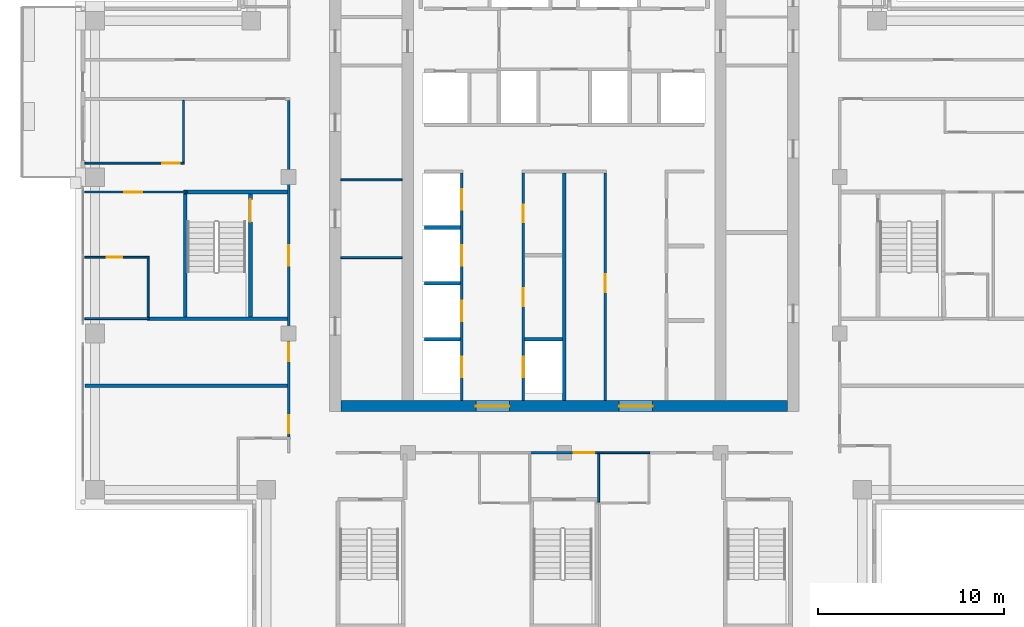
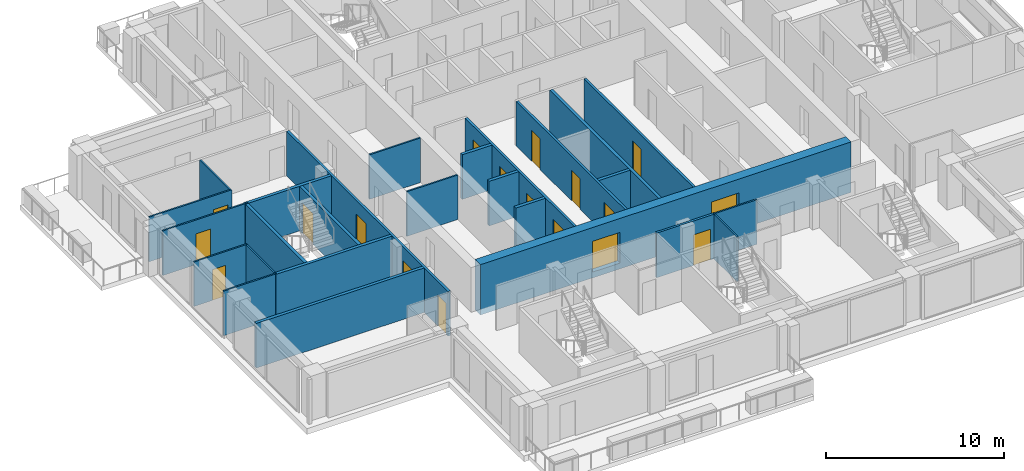
# One storey, part 7 of 15: 26 walls, 18 doors, 18 openings.
"""IFC4 building model written with IfcOpenShell, lengths in metres."""

from ifc_helpers import new_model, si_unit, direction, frame, frame_2d, origin, place, context, subcontext, project, spatial, rectangle, extrude, material, layer, layer_set, type_object, element, fill, save


model = new_model("IFC4")

# Units and contexts
model_context = context("Model", 3, precision=1e-05, world=origin(), true_north=direction((0.0, 1.0)))
body_context = subcontext(model_context, "Body", "Model", "MODEL_VIEW")
ifc_project = project(units=[si_unit("LENGTHUNIT", "METRE"), si_unit("AREAUNIT", "SQUARE_METRE"), si_unit("VOLUMEUNIT", "CUBIC_METRE"), si_unit("PLANEANGLEUNIT", "RADIAN"), si_unit("MASSUNIT", "GRAM", prefix="KILO")], contexts=[model_context])

# Site, building, storey
site_placement = place(None, origin())
site = spatial("IfcSite", under=ifc_project, at=site_placement, CompositionType="ELEMENT")
building_placement = place(site_placement, origin())
building = spatial("IfcBuilding", under=site, at=building_placement, Name="Vermilion Ogive Tower", CompositionType="ELEMENT")
storey_placement = place(building_placement, frame((0.0, 0.0, 210.050048828125)))
storey = spatial("IfcBuildingStorey", under=building, at=storey_placement, Name="L55", CompositionType="ELEMENT", Elevation=210.050048828125)

# Wall, openings, doors
ifc_material_1 = material(Name="Concrete B60", Category="concrete")
ifc_layer_1 = layer(ifc_material_1, 0.60009765625)
ifc_layer_set_1 = layer_set([ifc_layer_1], Name="Core wall 600 B60")
wall_type_1 = type_object("IfcWallType", Name="Core wall 600 B60", PredefinedType="SHEAR", material=ifc_layer_set_1)
wall_1_placement = place(storey_placement, frame((-12.0, -8.10009765625, -0.400146484375), z_axis=(0.0, 0.0, 1.0), x_axis=(1.0, 0.0, 0.0)))
wall_1 = element("IfcWall", 1, at=wall_1_placement, inside=storey, type_object=wall_type_1, Name="L55-CORE-S", PredefinedType="SHEAR", context=body_context, shape_type="SweptSolid", body=[
    extrude(rectangle(XDim=24.0, YDim=0.60009765625, at=frame_2d((12.0, 0.0))), origin(), (0.0, 0.0, 1.0), 3.4501953125),
])
opening_1_placement = place(wall_1_placement, frame((7.25, 0.0, 0.39990234375)))
opening_1 = element("IfcOpeningElement", 2, at=opening_1_placement, cuts=wall_1, Name="Opening DAH043", PredefinedType="OPENING", context=body_context, shape_type="SweptSolid", body=[
    extrude(rectangle(XDim=1.800048828125, YDim=2.10009765625, at=frame_2d((0.89990234375, 1.050048828125))), frame((0.0, 0.31005859375, 0.0), z_axis=(0.0, -1.0, 0.0), x_axis=(1.0, 0.0, 0.0)), (0.0, 0.0, 1.0), 0.6201171875),
])
opening_2_placement = place(wall_1_placement, frame((14.949951171875, 0.0, 0.39990234375)))
opening_2 = element("IfcOpeningElement", 3, at=opening_2_placement, cuts=wall_1, Name="Opening DAH044", PredefinedType="OPENING", context=body_context, shape_type="SweptSolid", body=[
    extrude(rectangle(XDim=1.800048828125, YDim=2.10009765625, at=frame_2d((0.89990234375, 1.050048828125))), frame((0.0, 0.31005859375, 0.0), z_axis=(0.0, -1.0, 0.0), x_axis=(1.0, 0.0, 0.0)), (0.0, 0.0, 1.0), 0.6201171875),
])
ifc_material_2 = material(Name="Timber door leaf", Category="wood")
door_type_1 = type_object("IfcDoorType", Name="Core entry door 1800 x 2100 FD60S", OperationType="DOUBLE_DOOR_SINGLE_SWING", PredefinedType="DOOR", material=ifc_material_2)
door_1_placement = place(opening_1_placement, origin())
door_1 = element("IfcDoor", 4, at=door_1_placement, inside=storey, type_object=door_type_1, Name="L55-CK-XD1", OperationType="SINGLE_SWING_LEFT", OverallHeight=2.10009765625, OverallWidth=1.800048828125, PredefinedType="DOOR", context=body_context, shape_type="SweptSolid", body=[
    extrude(rectangle(XDim=1.800048828125, YDim=2.10009765625, at=frame_2d((0.89990234375, 1.050048828125))), frame((0.0, 0.02490234375, 0.0), z_axis=(0.0, -1.0, 0.0), x_axis=(1.0, 0.0, 0.0)), (0.0, 0.0, 1.0), 0.050048828125),
])
fill(opening_1, door_1)
door_2_placement = place(opening_2_placement, origin())
door_2 = element("IfcDoor", 5, at=door_2_placement, inside=storey, type_object=door_type_1, Name="L55-CK-XD2", OperationType="SINGLE_SWING_LEFT", OverallHeight=2.10009765625, OverallWidth=1.800048828125, PredefinedType="DOOR", context=body_context, shape_type="SweptSolid", body=[
    extrude(rectangle(XDim=1.800048828125, YDim=2.10009765625, at=frame_2d((0.89990234375, 1.050048828125))), frame((0.0, 0.02490234375, 0.0), z_axis=(0.0, -1.0, 0.0), x_axis=(1.0, 0.0, 0.0)), (0.0, 0.0, 1.0), 0.050048828125),
])
fill(opening_2, door_2)

# Walls
ifc_material_3 = material(Name="Gypsum board partition on steel studs", Category="steel")
ifc_layer_2 = layer(ifc_material_3, 0.10009765625)
ifc_layer_set_2 = layer_set([ifc_layer_2], Name="Partition 100 bath")
wall_type_2 = type_object("IfcWallType", Name="Partition 100 bath", PredefinedType="PARTITIONING", material=ifc_layer_set_2)
wall_2_placement = place(storey_placement, frame((1.800048828125, -10.60009765625, 0.0), z_axis=(0.0, 0.0, 1.0), x_axis=(1.0, 0.0, 0.0)))
element("IfcWall", 6, at=wall_2_placement, inside=storey, type_object=wall_type_2, Name="L55-W-W010", PredefinedType="PARTITIONING", context=body_context, shape_type="SweptSolid", body=[
    extrude(rectangle(XDim=2.800048828125, YDim=0.10009765625, at=frame_2d((1.39990234375, 0.0))), origin(), (0.0, 0.0, 1.0), 3.050048828125),
])
wall_3_placement = place(storey_placement, frame((-25.75, -3.39990234375, 0.0), z_axis=(0.0, 0.0, 1.0), x_axis=(1.0, 0.0, 0.0)))
element("IfcWall", 7, at=wall_3_placement, inside=storey, type_object=wall_type_2, Name="L55-W-W016", PredefinedType="PARTITIONING", context=body_context, shape_type="SweptSolid", body=[
    extrude(rectangle(XDim=3.449951171875, YDim=0.10009765625, at=frame_2d((1.72509765625, 0.0))), origin(), (0.0, 0.0, 1.0), 3.050048828125),
])

# Wall, opening, door
wall_4_placement = place(storey_placement, frame((-25.75, -0.10009765625, 0.0), z_axis=(0.0, 0.0, 1.0), x_axis=(1.0, 0.0, 0.0)))
wall_4 = element("IfcWall", 8, at=wall_4_placement, inside=storey, type_object=wall_type_2, Name="L55-W-W022", PredefinedType="PARTITIONING", context=body_context, shape_type="SweptSolid", body=[
    extrude(rectangle(XDim=3.449951171875, YDim=0.10009765625, at=frame_2d((1.72509765625, 0.0))), origin(), (0.0, 0.0, 1.0), 3.050048828125),
])
opening_3_placement = place(wall_4_placement, frame((1.175048828125, 0.0, 0.0)))
opening_3 = element("IfcOpeningElement", 9, at=opening_3_placement, cuts=wall_4, Name="Opening D4G5006", PredefinedType="OPENING", context=body_context, shape_type="SweptSolid", body=[
    extrude(rectangle(XDim=0.85009765625, YDim=2.10009765625, at=frame_2d((0.425048828125, 1.050048828125))), frame((0.0, 0.06005859375, 0.0), z_axis=(0.0, -1.0, 0.0), x_axis=(1.0, 0.0, 0.0)), (0.0, 0.0, 1.0), 0.1201171875),
])
ifc_material_4 = material(Name="Timber door leaf", Category="wood")
door_type_2 = type_object("IfcDoorType", Name="Bath door 850 x 2100 FD30", OperationType="SINGLE_SWING_LEFT", PredefinedType="DOOR", material=ifc_material_4)
door_3_placement = place(opening_3_placement, origin())
door_3 = element("IfcDoor", 10, at=door_3_placement, inside=storey, type_object=door_type_2, Name="L55-D-D006", OperationType="SINGLE_SWING_RIGHT", OverallHeight=2.10009765625, OverallWidth=0.85009765625, PredefinedType="DOOR", context=body_context, shape_type="SweptSolid", body=[
    extrude(rectangle(XDim=0.85009765625, YDim=2.10009765625, at=frame_2d((0.425048828125, 1.050048828125))), frame((0.0, 0.02490234375, 0.0), z_axis=(0.0, -1.0, 0.0), x_axis=(1.0, 0.0, 0.0)), (0.0, 0.0, 1.0), 0.050048828125),
])
fill(opening_3, door_3)

# Walls
wall_5_placement = place(storey_placement, frame((-22.35009765625, -3.300048828125, 0.0), z_axis=(0.0, 0.0, 1.0), x_axis=(0.0, 1.0, 0.0)))
element("IfcWall", 11, at=wall_5_placement, inside=storey, type_object=wall_type_2, Name="L55-W-W039", PredefinedType="PARTITIONING", context=body_context, shape_type="SweptSolid", body=[
    extrude(rectangle(XDim=3.150146484375, YDim=0.10009765625, at=frame_2d((1.5751953125, 0.0))), origin(), (0.0, 0.0, 1.0), 3.050048828125),
])
wall_6_placement = place(storey_placement, frame((1.85009765625, -13.25, 0.0), z_axis=(0.0, 0.0, 1.0), x_axis=(0.0, 1.0, 0.0)))
element("IfcWall", 12, at=wall_6_placement, inside=storey, type_object=wall_type_2, Name="L55-W-W056", PredefinedType="PARTITIONING", context=body_context, shape_type="SweptSolid", body=[
    extrude(rectangle(XDim=2.574951171875, YDim=0.10009765625, at=frame_2d((1.28759765625, 0.0))), origin(), (0.0, 0.0, 1.0), 3.050048828125),
])
for number, where, z_axis, x_axis, name in (
    (13, (-11.9990234375, -0.125, 0.0), (0.0, 0.0, 1.0), (1.0, 0.0, 0.0), "L55-CKW-W-W001"),
    (14, (-11.9990234375, 4.053955078125, 0.0), (0.0, 0.0, 1.0), (1.0, 0.0, 0.0), "L55-CKW-W-W002"),
):
    element("IfcWall", number, at=place(storey_placement, frame(where, z_axis=z_axis, x_axis=x_axis)), inside=storey, type_object=wall_type_2, Name=name, PredefinedType="PARTITIONING", context=body_context, shape_type="SweptSolid", body=[
        extrude(rectangle(XDim=3.298095703125, YDim=0.10009765625, at=frame_2d((1.64892578125, 0.0))), origin(), (0.0, 0.0, 1.0), 3.050048828125),
    ])

# Wall, opening, door
ifc_material_5 = material(Name="Gypsum board partition on steel studs", Category="steel")
ifc_layer_3 = layer(ifc_material_5, 0.10009765625)
ifc_layer_set_3 = layer_set([ifc_layer_3], Name="Partition 100 inner")
wall_type_3 = type_object("IfcWallType", Name="Partition 100 inner", PredefinedType="PARTITIONING", material=ifc_layer_set_3)
wall_7_placement = place(storey_placement, frame((-25.75, 3.39990234375, 0.0), z_axis=(0.0, 0.0, 1.0), x_axis=(1.0, 0.0, 0.0)))
wall_7 = element("IfcWall", 15, at=wall_7_placement, inside=storey, type_object=wall_type_3, Name="L55-W-W023", PredefinedType="PARTITIONING", context=body_context, shape_type="SweptSolid", body=[
    extrude(rectangle(XDim=5.5, YDim=0.10009765625, at=frame_2d((2.75, 0.0))), origin(), (0.0, 0.0, 1.0), 3.050048828125),
])
opening_4_placement = place(wall_7_placement, frame((2.125, 0.0, 0.0)))
opening_4 = element("IfcOpeningElement", 16, at=opening_4_placement, cuts=wall_7, Name="Opening D4G5005", PredefinedType="OPENING", context=body_context, shape_type="SweptSolid", body=[
    extrude(rectangle(XDim=0.949951171875, YDim=2.10009765625, at=frame_2d((0.47509765625, 1.050048828125))), frame((0.0, 0.06005859375, 0.0), z_axis=(0.0, -1.0, 0.0), x_axis=(1.0, 0.0, 0.0)), (0.0, 0.0, 1.0), 0.1201171875),
])
ifc_material_6 = material(Name="Timber door leaf", Category="wood")
door_type_3 = type_object("IfcDoorType", Name="Inner door 950 x 2100 FD30", OperationType="SINGLE_SWING_LEFT", PredefinedType="DOOR", material=ifc_material_6)
door_4_placement = place(opening_4_placement, origin())
door_4 = element("IfcDoor", 17, at=door_4_placement, inside=storey, type_object=door_type_3, Name="L55-D-D005", OperationType="SINGLE_SWING_LEFT", OverallHeight=2.10009765625, OverallWidth=0.949951171875, PredefinedType="DOOR", context=body_context, shape_type="SweptSolid", body=[
    extrude(rectangle(XDim=0.949951171875, YDim=2.10009765625, at=frame_2d((0.47509765625, 1.050048828125))), frame((0.0, 0.02490234375, 0.0), z_axis=(0.0, -1.0, 0.0), x_axis=(1.0, 0.0, 0.0)), (0.0, 0.0, 1.0), 0.050048828125),
])
fill(opening_4, door_4)

wall_8_placement = place(storey_placement, frame((-25.75, 4.949951171875, 0.0), z_axis=(0.0, 0.0, 1.0), x_axis=(1.0, 0.0, 0.0)))
wall_8 = element("IfcWall", 18, at=wall_8_placement, inside=storey, type_object=wall_type_3, Name="L55-W-W027", PredefinedType="PARTITIONING", context=body_context, shape_type="SweptSolid", body=[
    extrude(rectangle(XDim=5.35009765625, YDim=0.10009765625, at=frame_2d((2.675048828125, 0.0))), origin(), (0.0, 0.0, 1.0), 3.050048828125),
])
opening_5_placement = place(wall_8_placement, frame((4.14990234375, 0.0, 0.0)))
opening_5 = element("IfcOpeningElement", 19, at=opening_5_placement, cuts=wall_8, Name="Opening D4G5003", PredefinedType="OPENING", context=body_context, shape_type="SweptSolid", body=[
    extrude(rectangle(XDim=0.949951171875, YDim=2.10009765625, at=frame_2d((0.47509765625, 1.050048828125))), frame((0.0, 0.06005859375, 0.0), z_axis=(0.0, -1.0, 0.0), x_axis=(1.0, 0.0, 0.0)), (0.0, 0.0, 1.0), 0.1201171875),
])
door_5_placement = place(opening_5_placement, origin())
door_5 = element("IfcDoor", 20, at=door_5_placement, inside=storey, type_object=door_type_3, Name="L55-D-D003", OperationType="SINGLE_SWING_LEFT", OverallHeight=2.10009765625, OverallWidth=0.949951171875, PredefinedType="DOOR", context=body_context, shape_type="SweptSolid", body=[
    extrude(rectangle(XDim=0.949951171875, YDim=2.10009765625, at=frame_2d((0.47509765625, 1.050048828125))), frame((0.0, 0.02490234375, 0.0), z_axis=(0.0, -1.0, 0.0), x_axis=(1.0, 0.0, 0.0)), (0.0, 0.0, 1.0), 0.050048828125),
])
fill(opening_5, door_5)

# Wall
wall_9_placement = place(storey_placement, frame((-20.449951171875, 5.0, 0.0), z_axis=(0.0, 0.0, 1.0), x_axis=(0.0, 1.0, 0.0)))
element("IfcWall", 21, at=wall_9_placement, inside=storey, type_object=wall_type_3, Name="L55-W-W040", PredefinedType="PARTITIONING", context=body_context, shape_type="SweptSolid", body=[
    extrude(rectangle(XDim=3.324951171875, YDim=0.10009765625, at=frame_2d((1.66259765625, 0.0))), origin(), (0.0, 0.0, 1.0), 3.050048828125),
])

# Wall, opening, door
ifc_material_7 = material(Name="Gypsum board partition on steel studs", Category="steel")
ifc_layer_4 = layer(ifc_material_7, 0.14990234375)
ifc_layer_set_4 = layer_set([ifc_layer_4], Name="Partition 150 corridor")
wall_type_4 = type_object("IfcWallType", Name="Partition 150 corridor", PredefinedType="PARTITIONING", material=ifc_layer_set_4)
wall_10_placement = place(storey_placement, frame((-1.89990234375, -10.60009765625, 0.0), z_axis=(0.0, 0.0, 1.0), x_axis=(1.0, 0.0, 0.0)))
wall_10 = element("IfcWall", 22, at=wall_10_placement, inside=storey, type_object=wall_type_4, Name="L55-W-W009", PredefinedType="PARTITIONING", context=body_context, shape_type="SweptSolid", body=[
    extrude(rectangle(XDim=3.7998046875, YDim=0.14990234375, at=frame_2d((1.89990234375, 0.0))), origin(), (0.0, 0.0, 1.0), 3.050048828125),
])
opening_6_placement = place(wall_10_placement, frame((2.39990234375, 0.0, 0.0)))
opening_6 = element("IfcOpeningElement", 23, at=opening_6_placement, cuts=wall_10, Name="Opening D4G5024", PredefinedType="OPENING", context=body_context, shape_type="SweptSolid", body=[
    extrude(rectangle(XDim=1.10009765625, YDim=2.10009765625, at=frame_2d((0.550048828125, 1.050048828125))), frame((0.0, 0.0849609375, 0.0), z_axis=(0.0, -1.0, 0.0), x_axis=(1.0, 0.0, 0.0)), (0.0, 0.0, 1.0), 0.169921875),
])
ifc_material_8 = material(Name="Timber door leaf", Category="wood")
door_type_4 = type_object("IfcDoorType", Name="Stair door 1100 x 2100 FD60S", OperationType="SINGLE_SWING_LEFT", PredefinedType="DOOR", material=ifc_material_8)
door_6_placement = place(opening_6_placement, origin())
door_6 = element("IfcDoor", 24, at=door_6_placement, inside=storey, type_object=door_type_4, Name="L55-D-D024", OperationType="SINGLE_SWING_LEFT", OverallHeight=2.10009765625, OverallWidth=1.10009765625, PredefinedType="DOOR", context=body_context, shape_type="SweptSolid", body=[
    extrude(rectangle(XDim=1.10009765625, YDim=2.10009765625, at=frame_2d((0.550048828125, 1.050048828125))), frame((0.0, 0.02490234375, 0.0), z_axis=(0.0, -1.0, 0.0), x_axis=(1.0, 0.0, 0.0)), (0.0, 0.0, 1.0), 0.050048828125),
])
fill(opening_6, door_6)

# Wall, openings, doors
wall_11_placement = place(storey_placement, frame((-14.800048828125, -9.77001953125, 0.0), z_axis=(0.0, 0.0, 1.0), x_axis=(0.0, 1.0, 0.0)))
wall_11 = element("IfcWall", 25, at=wall_11_placement, inside=storey, type_object=wall_type_4, Name="L55-W-W046", PredefinedType="PARTITIONING", context=body_context, shape_type="SweptSolid", body=[
    extrude(rectangle(XDim=18.094970703125, YDim=0.14990234375, at=frame_2d((9.04736328125, 0.0))), origin(), (0.0, 0.0, 1.0), 3.050048828125),
])
opening_7_placement = place(wall_11_placement, frame((0.219970703125, 0.0, 0.0)))
opening_7 = element("IfcOpeningElement", 26, at=opening_7_placement, cuts=wall_11, Name="Opening D4G5001", PredefinedType="OPENING", context=body_context, shape_type="SweptSolid", body=[
    extrude(rectangle(XDim=0.949951171875, YDim=2.10009765625, at=frame_2d((0.47509765625, 1.050048828125))), frame((0.0, 0.0849609375, 0.0), z_axis=(0.0, -1.0, 0.0), x_axis=(1.0, 0.0, 0.0)), (0.0, 0.0, 1.0), 0.169921875),
])
opening_8_placement = place(wall_11_placement, frame((9.219970703125, 0.0, 0.0)))
opening_8 = element("IfcOpeningElement", 27, at=opening_8_placement, cuts=wall_11, Name="Opening D4G5030", PredefinedType="OPENING", context=body_context, shape_type="SweptSolid", body=[
    extrude(rectangle(XDim=1.10009765625, YDim=2.10009765625, at=frame_2d((0.550048828125, 1.050048828125))), frame((0.0, 0.0849609375, 0.0), z_axis=(0.0, -1.0, 0.0), x_axis=(1.0, 0.0, 0.0)), (0.0, 0.0, 1.0), 0.169921875),
])
opening_9_placement = place(wall_11_placement, frame((4.070068359375, 0.0, 0.0)))
opening_9 = element("IfcOpeningElement", 28, at=opening_9_placement, cuts=wall_11, Name="Opening D4G5032", PredefinedType="OPENING", context=body_context, shape_type="SweptSolid", body=[
    extrude(rectangle(XDim=1.0, YDim=2.10009765625, at=frame_2d((0.5, 1.050048828125))), frame((0.0, 0.0849609375, 0.0), z_axis=(0.0, -1.0, 0.0), x_axis=(1.0, 0.0, 0.0)), (0.0, 0.0, 1.0), 0.169921875),
])
door_7_placement = place(opening_8_placement, origin())
door_7 = element("IfcDoor", 29, at=door_7_placement, inside=storey, type_object=door_type_4, Name="L55-D-D030", OperationType="SINGLE_SWING_RIGHT", OverallHeight=2.10009765625, OverallWidth=1.10009765625, PredefinedType="DOOR", context=body_context, shape_type="SweptSolid", body=[
    extrude(rectangle(XDim=1.10009765625, YDim=2.10009765625, at=frame_2d((0.550048828125, 1.050048828125))), frame((0.0, 0.02490234375, 0.0), z_axis=(0.0, -1.0, 0.0), x_axis=(1.0, 0.0, 0.0)), (0.0, 0.0, 1.0), 0.050048828125),
])
fill(opening_8, door_7)
ifc_material_9 = material(Name="Timber door leaf", Category="wood")
door_type_5 = type_object("IfcDoorType", Name="Unit door 1000 x 2100 FD30S", OperationType="SINGLE_SWING_LEFT", PredefinedType="DOOR", material=ifc_material_9)
door_8_placement = place(opening_9_placement, origin())
door_8 = element("IfcDoor", 30, at=door_8_placement, inside=storey, type_object=door_type_5, Name="L55-D-D032", OperationType="SINGLE_SWING_LEFT", OverallHeight=2.10009765625, OverallWidth=1.0, PredefinedType="DOOR", context=body_context, shape_type="SweptSolid", body=[
    extrude(rectangle(XDim=1.0, YDim=2.10009765625, at=frame_2d((0.5, 1.050048828125))), frame((0.0, 0.02490234375, 0.0), z_axis=(0.0, -1.0, 0.0), x_axis=(1.0, 0.0, 0.0)), (0.0, 0.0, 1.0), 0.050048828125),
])
fill(opening_9, door_8)
ifc_material_10 = material(Name="Timber door leaf", Category="wood")
door_type_6 = type_object("IfcDoorType", Name="Unit door 950 x 2100 FD30S", OperationType="SINGLE_SWING_LEFT", PredefinedType="DOOR", material=ifc_material_10)
door_9_placement = place(opening_7_placement, origin())
door_9 = element("IfcDoor", 31, at=door_9_placement, inside=storey, type_object=door_type_6, Name="L55-D-D001", OperationType="SINGLE_SWING_LEFT", OverallHeight=2.10009765625, OverallWidth=0.949951171875, PredefinedType="DOOR", context=body_context, shape_type="SweptSolid", body=[
    extrude(rectangle(XDim=0.949951171875, YDim=2.10009765625, at=frame_2d((0.47509765625, 1.050048828125))), frame((0.0, 0.02490234375, 0.0), z_axis=(0.0, -1.0, 0.0), x_axis=(1.0, 0.0, 0.0)), (0.0, 0.0, 1.0), 0.050048828125),
])
fill(opening_7, door_9)

wall_12_placement = place(storey_placement, frame((-5.5, -7.799072265625, 0.0), z_axis=(0.0, 0.0, 1.0), x_axis=(0.0, 1.0, 0.0)))
wall_12 = element("IfcWall", 32, at=wall_12_placement, inside=storey, type_object=wall_type_4, Name="L55-CK-W-W020", PredefinedType="PARTITIONING", context=body_context, shape_type="SweptSolid", body=[
    extrude(rectangle(XDim=12.22412109375, YDim=0.14990234375, at=frame_2d((6.112060546875, 0.0))), origin(), (0.0, 0.0, 1.0), 3.050048828125),
])
opening_10_placement = place(wall_12_placement, frame((1.2490234375, 0.0, 0.0)))
opening_10 = element("IfcOpeningElement", 33, at=opening_10_placement, cuts=wall_12, Name="Opening DAA505", PredefinedType="OPENING", context=body_context, shape_type="SweptSolid", body=[
    extrude(rectangle(XDim=1.10009765625, YDim=2.10009765625, at=frame_2d((0.550048828125, 1.050048828125))), frame((0.0, 0.0849609375, 0.0), z_axis=(0.0, -1.0, 0.0), x_axis=(1.0, 0.0, 0.0)), (0.0, 0.0, 1.0), 0.169921875),
])
opening_11_placement = place(wall_12_placement, frame((4.2490234375, 0.0, 0.0)))
opening_11 = element("IfcOpeningElement", 34, at=opening_11_placement, cuts=wall_12, Name="Opening DAA506", PredefinedType="OPENING", context=body_context, shape_type="SweptSolid", body=[
    extrude(rectangle(XDim=1.10009765625, YDim=2.10009765625, at=frame_2d((0.550048828125, 1.050048828125))), frame((0.0, 0.0849609375, 0.0), z_axis=(0.0, -1.0, 0.0), x_axis=(1.0, 0.0, 0.0)), (0.0, 0.0, 1.0), 0.169921875),
])
opening_12_placement = place(wall_12_placement, frame((7.2490234375, 0.0, 0.0)))
opening_12 = element("IfcOpeningElement", 35, at=opening_12_placement, cuts=wall_12, Name="Opening DAA507", PredefinedType="OPENING", context=body_context, shape_type="SweptSolid", body=[
    extrude(rectangle(XDim=1.10009765625, YDim=2.10009765625, at=frame_2d((0.550048828125, 1.050048828125))), frame((0.0, 0.0849609375, 0.0), z_axis=(0.0, -1.0, 0.0), x_axis=(1.0, 0.0, 0.0)), (0.0, 0.0, 1.0), 0.169921875),
])
opening_13_placement = place(wall_12_placement, frame((10.2490234375, 0.0, 0.0)))
opening_13 = element("IfcOpeningElement", 36, at=opening_13_placement, cuts=wall_12, Name="Opening DAA508", PredefinedType="OPENING", context=body_context, shape_type="SweptSolid", body=[
    extrude(rectangle(XDim=1.10009765625, YDim=2.10009765625, at=frame_2d((0.550048828125, 1.050048828125))), frame((0.0, 0.0849609375, 0.0), z_axis=(0.0, -1.0, 0.0), x_axis=(1.0, 0.0, 0.0)), (0.0, 0.0, 1.0), 0.169921875),
])
ifc_material_11 = material(Name="Stainless steel", Category="steel")
door_type_7 = type_object("IfcDoorType", Name="Lift landing door 1100 x 2100", OperationType="SLIDING_TO_LEFT", PredefinedType="DOOR", material=ifc_material_11)
door_10_placement = place(opening_10_placement, origin())
door_10 = element("IfcDoor", 37, at=door_10_placement, inside=storey, type_object=door_type_7, Name="L55-CK-D-D001", OperationType="SLIDING_TO_LEFT", OverallHeight=2.10009765625, OverallWidth=1.10009765625, PredefinedType="DOOR", context=body_context, shape_type="SweptSolid", body=[
    extrude(rectangle(XDim=1.10009765625, YDim=2.10009765625, at=frame_2d((0.550048828125, 1.050048828125))), frame((0.0, 0.02490234375, 0.0), z_axis=(0.0, -1.0, 0.0), x_axis=(1.0, 0.0, 0.0)), (0.0, 0.0, 1.0), 0.050048828125),
])
fill(opening_10, door_10)
door_11_placement = place(opening_11_placement, origin())
door_11 = element("IfcDoor", 38, at=door_11_placement, inside=storey, type_object=door_type_7, Name="L55-CK-D-D002", OperationType="SLIDING_TO_LEFT", OverallHeight=2.10009765625, OverallWidth=1.10009765625, PredefinedType="DOOR", context=body_context, shape_type="SweptSolid", body=[
    extrude(rectangle(XDim=1.10009765625, YDim=2.10009765625, at=frame_2d((0.550048828125, 1.050048828125))), frame((0.0, 0.02490234375, 0.0), z_axis=(0.0, -1.0, 0.0), x_axis=(1.0, 0.0, 0.0)), (0.0, 0.0, 1.0), 0.050048828125),
])
fill(opening_11, door_11)
door_12_placement = place(opening_12_placement, origin())
door_12 = element("IfcDoor", 39, at=door_12_placement, inside=storey, type_object=door_type_7, Name="L55-CK-D-D003", OperationType="SLIDING_TO_LEFT", OverallHeight=2.10009765625, OverallWidth=1.10009765625, PredefinedType="DOOR", context=body_context, shape_type="SweptSolid", body=[
    extrude(rectangle(XDim=1.10009765625, YDim=2.10009765625, at=frame_2d((0.550048828125, 1.050048828125))), frame((0.0, 0.02490234375, 0.0), z_axis=(0.0, -1.0, 0.0), x_axis=(1.0, 0.0, 0.0)), (0.0, 0.0, 1.0), 0.050048828125),
])
fill(opening_12, door_12)
door_13_placement = place(opening_13_placement, origin())
door_13 = element("IfcDoor", 40, at=door_13_placement, inside=storey, type_object=door_type_7, Name="L55-CK-D-D004", OperationType="SLIDING_TO_LEFT", OverallHeight=2.10009765625, OverallWidth=1.10009765625, PredefinedType="DOOR", context=body_context, shape_type="SweptSolid", body=[
    extrude(rectangle(XDim=1.10009765625, YDim=2.10009765625, at=frame_2d((0.550048828125, 1.050048828125))), frame((0.0, 0.02490234375, 0.0), z_axis=(0.0, -1.0, 0.0), x_axis=(1.0, 0.0, 0.0)), (0.0, 0.0, 1.0), 0.050048828125),
])
fill(opening_13, door_13)

wall_13_placement = place(storey_placement, frame((-2.199951171875, -7.799072265625, 0.0), z_axis=(0.0, 0.0, 1.0), x_axis=(0.0, 1.0, 0.0)))
wall_13 = element("IfcWall", 41, at=wall_13_placement, inside=storey, type_object=wall_type_4, Name="L55-CK-W-W025", PredefinedType="PARTITIONING", context=body_context, shape_type="SweptSolid", body=[
    extrude(rectangle(XDim=12.22412109375, YDim=0.14990234375, at=frame_2d((6.112060546875, 0.0))), origin(), (0.0, 0.0, 1.0), 3.050048828125),
])
opening_14_placement = place(wall_13_placement, frame((1.2490234375, 0.0, 0.0)))
opening_14 = element("IfcOpeningElement", 42, at=opening_14_placement, cuts=wall_13, Name="Opening DAA509", PredefinedType="OPENING", context=body_context, shape_type="SweptSolid", body=[
    extrude(rectangle(XDim=1.10009765625, YDim=2.10009765625, at=frame_2d((0.550048828125, 1.050048828125))), frame((0.0, 0.0849609375, 0.0), z_axis=(0.0, -1.0, 0.0), x_axis=(1.0, 0.0, 0.0)), (0.0, 0.0, 1.0), 0.169921875),
])
opening_15_placement = place(wall_13_placement, frame((5.073974609375, 0.0, 0.0)))
opening_15 = element("IfcOpeningElement", 43, at=opening_15_placement, cuts=wall_13, Name="Opening DAA495", PredefinedType="OPENING", context=body_context, shape_type="SweptSolid", body=[
    extrude(rectangle(XDim=0.949951171875, YDim=2.10009765625, at=frame_2d((0.47509765625, 1.050048828125))), frame((0.0, 0.0849609375, 0.0), z_axis=(0.0, -1.0, 0.0), x_axis=(1.0, 0.0, 0.0)), (0.0, 0.0, 1.0), 0.169921875),
])
opening_16_placement = place(wall_13_placement, frame((9.573974609375, 0.0, 0.0)))
opening_16 = element("IfcOpeningElement", 44, at=opening_16_placement, cuts=wall_13, Name="Opening DAA496", PredefinedType="OPENING", context=body_context, shape_type="SweptSolid", body=[
    extrude(rectangle(XDim=0.949951171875, YDim=2.10009765625, at=frame_2d((0.47509765625, 1.050048828125))), frame((0.0, 0.0849609375, 0.0), z_axis=(0.0, -1.0, 0.0), x_axis=(1.0, 0.0, 0.0)), (0.0, 0.0, 1.0), 0.169921875),
])
door_14_placement = place(opening_14_placement, origin())
door_14 = element("IfcDoor", 45, at=door_14_placement, inside=storey, type_object=door_type_7, Name="L55-CK-D-D005", OperationType="SLIDING_TO_LEFT", OverallHeight=2.10009765625, OverallWidth=1.10009765625, PredefinedType="DOOR", context=body_context, shape_type="SweptSolid", body=[
    extrude(rectangle(XDim=1.10009765625, YDim=2.10009765625, at=frame_2d((0.550048828125, 1.050048828125))), frame((0.0, 0.02490234375, 0.0), z_axis=(0.0, -1.0, 0.0), x_axis=(1.0, 0.0, 0.0)), (0.0, 0.0, 1.0), 0.050048828125),
])
fill(opening_14, door_14)
ifc_material_12 = material(Name="Timber door leaf", Category="wood")
door_type_8 = type_object("IfcDoorType", Name="Service door 950 x 2100 FD60", OperationType="SINGLE_SWING_LEFT", PredefinedType="DOOR", material=ifc_material_12)
door_15_placement = place(opening_15_placement, origin())
door_15 = element("IfcDoor", 46, at=door_15_placement, inside=storey, type_object=door_type_8, Name="L55-CK-D-D006", OperationType="SINGLE_SWING_LEFT", OverallHeight=2.10009765625, OverallWidth=0.949951171875, PredefinedType="DOOR", context=body_context, shape_type="SweptSolid", body=[
    extrude(rectangle(XDim=0.949951171875, YDim=2.10009765625, at=frame_2d((0.47509765625, 1.050048828125))), frame((0.0, 0.02490234375, 0.0), z_axis=(0.0, -1.0, 0.0), x_axis=(1.0, 0.0, 0.0)), (0.0, 0.0, 1.0), 0.050048828125),
])
fill(opening_15, door_15)
door_16_placement = place(opening_16_placement, origin())
door_16 = element("IfcDoor", 47, at=door_16_placement, inside=storey, type_object=door_type_8, Name="L55-CK-D-D007", OperationType="SINGLE_SWING_RIGHT", OverallHeight=2.10009765625, OverallWidth=0.949951171875, PredefinedType="DOOR", context=body_context, shape_type="SweptSolid", body=[
    extrude(rectangle(XDim=0.949951171875, YDim=2.10009765625, at=frame_2d((0.47509765625, 1.050048828125))), frame((0.0, 0.02490234375, 0.0), z_axis=(0.0, -1.0, 0.0), x_axis=(1.0, 0.0, 0.0)), (0.0, 0.0, 1.0), 0.050048828125),
])
fill(opening_16, door_16)

# Wall, opening, door
wall_14_placement = place(storey_placement, frame((2.199951171875, -7.799072265625, 0.0), z_axis=(0.0, 0.0, 1.0), x_axis=(0.0, 1.0, 0.0)))
wall_14 = element("IfcWall", 48, at=wall_14_placement, inside=storey, type_object=wall_type_4, Name="L55-CK-W-W032", PredefinedType="PARTITIONING", context=body_context, shape_type="SweptSolid", body=[
    extrude(rectangle(XDim=12.22412109375, YDim=0.14990234375, at=frame_2d((6.112060546875, 0.0))), origin(), (0.0, 0.0, 1.0), 3.050048828125),
])
opening_17_placement = place(wall_14_placement, frame((5.823974609375, 0.0, 0.0)))
opening_17 = element("IfcOpeningElement", 49, at=opening_17_placement, cuts=wall_14, Name="Opening DAA497", PredefinedType="OPENING", context=body_context, shape_type="SweptSolid", body=[
    extrude(rectangle(XDim=0.949951171875, YDim=2.10009765625, at=frame_2d((0.47509765625, 1.050048828125))), frame((0.0, 0.0849609375, 0.0), z_axis=(0.0, -1.0, 0.0), x_axis=(1.0, 0.0, 0.0)), (0.0, 0.0, 1.0), 0.169921875),
])
door_17_placement = place(opening_17_placement, origin())
door_17 = element("IfcDoor", 50, at=door_17_placement, inside=storey, type_object=door_type_8, Name="L55-CK-D-D008", OperationType="SINGLE_SWING_RIGHT", OverallHeight=2.10009765625, OverallWidth=0.949951171875, PredefinedType="DOOR", context=body_context, shape_type="SweptSolid", body=[
    extrude(rectangle(XDim=0.949951171875, YDim=2.10009765625, at=frame_2d((0.47509765625, 1.050048828125))), frame((0.0, 0.02490234375, 0.0), z_axis=(0.0, -1.0, 0.0), x_axis=(1.0, 0.0, 0.0)), (0.0, 0.0, 1.0), 0.050048828125),
])
fill(opening_17, door_17)

# Walls
ifc_material_13 = material(Name="Gypsum board partition on steel studs", Category="steel")
ifc_layer_5 = layer(ifc_material_13, 0.199951171875)
ifc_layer_set_5 = layer_set([ifc_layer_5], Name="Partition 200 party")
wall_type_5 = type_object("IfcWallType", Name="Partition 200 party", PredefinedType="PARTITIONING", material=ifc_layer_set_5)
wall_15_placement = place(storey_placement, frame((-25.75, -7.0, 0.0), z_axis=(0.0, 0.0, 1.0), x_axis=(1.0, 0.0, 0.0)))
element("IfcWall", 51, at=wall_15_placement, inside=storey, type_object=wall_type_5, Name="L55-W-W014", PredefinedType="PARTITIONING", context=body_context, shape_type="SweptSolid", body=[
    extrude(rectangle(XDim=10.875, YDim=0.199951171875, at=frame_2d((5.4375, 0.0))), origin(), (0.0, 0.0, 1.0), 3.050048828125),
])
wall_16_placement = place(storey_placement, frame((-7.5, -4.5, 0.0), z_axis=(0.0, 0.0, 1.0), x_axis=(1.0, 0.0, 0.0)))
element("IfcWall", 52, at=wall_16_placement, inside=storey, type_object=wall_type_5, Name="L55-CK-W-W001", PredefinedType="PARTITIONING", context=body_context, shape_type="SweptSolid", body=[
    extrude(rectangle(XDim=1.925048828125, YDim=0.199951171875, at=frame_2d((0.96240234375, 0.0))), origin(), (0.0, 0.0, 1.0), 3.050048828125),
])
wall_17_placement = place(storey_placement, frame((-2.125, -4.5, 0.0), z_axis=(0.0, 0.0, 1.0), x_axis=(1.0, 0.0, 0.0)))
element("IfcWall", 53, at=wall_17_placement, inside=storey, type_object=wall_type_5, Name="L55-CK-W-W002", PredefinedType="PARTITIONING", context=body_context, shape_type="SweptSolid", body=[
    extrude(rectangle(XDim=2.02490234375, YDim=0.199951171875, at=frame_2d((1.012451171875, 0.0))), origin(), (0.0, 0.0, 1.0), 3.050048828125),
])
for number, where, z_axis, x_axis, name in (
    (54, (-7.5, -1.5, 0.0), (0.0, 0.0, 1.0), (1.0, 0.0, 0.0), "L55-CK-W-W004"),
    (55, (-7.5, 1.5, 0.0), (0.0, 0.0, 1.0), (1.0, 0.0, 0.0), "L55-CK-W-W007"),
):
    element("IfcWall", number, at=place(storey_placement, frame(where, z_axis=z_axis, x_axis=x_axis)), inside=storey, type_object=wall_type_5, Name=name, PredefinedType="PARTITIONING", context=body_context, shape_type="SweptSolid", body=[
        extrude(rectangle(XDim=1.925048828125, YDim=0.199951171875, at=frame_2d((0.96240234375, 0.0))), origin(), (0.0, 0.0, 1.0), 3.050048828125),
    ])
wall_18_placement = place(storey_placement, frame((0.0, -7.799072265625, 0.0), z_axis=(0.0, 0.0, 1.0), x_axis=(0.0, 1.0, 0.0)))
element("IfcWall", 56, at=wall_18_placement, inside=storey, type_object=wall_type_5, Name="L55-CK-W-W028", PredefinedType="PARTITIONING", context=body_context, shape_type="SweptSolid", body=[
    extrude(rectangle(XDim=12.22412109375, YDim=0.199951171875, at=frame_2d((6.112060546875, 0.0))), origin(), (0.0, 0.0, 1.0), 3.050048828125),
])
ifc_material_14 = material(Name="Concrete B60", Category="concrete")
ifc_layer_6 = layer(ifc_material_14, 0.199951171875)
ifc_layer_set_6 = layer_set([ifc_layer_6], Name="Stair shaft wall 200 Concrete B60")
wall_type_6 = type_object("IfcWallType", Name="Stair shaft wall 200 Concrete B60", PredefinedType="SOLIDWALL", material=ifc_layer_set_6)
wall_19_placement = place(storey_placement, frame((-22.39990234375, -3.39990234375, 0.0), z_axis=(0.0, 0.0, 1.0), x_axis=(1.0, 0.0, 0.0)))
element("IfcWall", 57, at=wall_19_placement, inside=storey, type_object=wall_type_6, Name="L55-W-W017", PredefinedType="SOLIDWALL", context=body_context, shape_type="SweptSolid", body=[
    extrude(rectangle(XDim=7.52490234375, YDim=0.199951171875, at=frame_2d((3.762451171875, 0.0))), origin(), (0.0, 0.0, 1.0), 3.050048828125),
])
wall_20_placement = place(storey_placement, frame((-20.449951171875, 3.39990234375, 0.0), z_axis=(0.0, 0.0, 1.0), x_axis=(1.0, 0.0, 0.0)))
element("IfcWall", 58, at=wall_20_placement, inside=storey, type_object=wall_type_6, Name="L55-W-W024", PredefinedType="SOLIDWALL", context=body_context, shape_type="SweptSolid", body=[
    extrude(rectangle(XDim=5.574951171875, YDim=0.199951171875, at=frame_2d((2.78759765625, 0.0))), origin(), (0.0, 0.0, 1.0), 3.050048828125),
])
wall_21_placement = place(storey_placement, frame((-20.35009765625, -3.300048828125, 0.0), z_axis=(0.0, 0.0, 1.0), x_axis=(0.0, 1.0, 0.0)))
element("IfcWall", 59, at=wall_21_placement, inside=storey, type_object=wall_type_6, Name="L55-W-W041", PredefinedType="SOLIDWALL", context=body_context, shape_type="SweptSolid", body=[
    extrude(rectangle(XDim=6.60009765625, YDim=0.199951171875, at=frame_2d((3.300048828125, 0.0))), origin(), (0.0, 0.0, 1.0), 3.050048828125),
])

# Wall, opening, door
wall_22_placement = place(storey_placement, frame((-16.85009765625, -3.300048828125, 0.0), z_axis=(0.0, 0.0, 1.0), x_axis=(0.0, 1.0, 0.0)))
wall_22 = element("IfcWall", 60, at=wall_22_placement, inside=storey, type_object=wall_type_6, Name="L55-W-W044", PredefinedType="SOLIDWALL", context=body_context, shape_type="SweptSolid", body=[
    extrude(rectangle(XDim=6.60009765625, YDim=0.199951171875, at=frame_2d((3.300048828125, 0.0))), origin(), (0.0, 0.0, 1.0), 3.050048828125),
])
opening_18_placement = place(wall_22_placement, frame((5.10009765625, 0.0, 0.0)))
opening_18 = element("IfcOpeningElement", 61, at=opening_18_placement, cuts=wall_22, Name="Opening D4G5031", PredefinedType="OPENING", context=body_context, shape_type="SweptSolid", body=[
    extrude(rectangle(XDim=1.199951171875, YDim=2.10009765625, at=frame_2d((0.60009765625, 1.050048828125))), frame((0.0, 0.10986328125, 0.0), z_axis=(0.0, -1.0, 0.0), x_axis=(1.0, 0.0, 0.0)), (0.0, 0.0, 1.0), 0.219970703125),
])
ifc_material_15 = material(Name="Timber door leaf", Category="wood")
door_type_9 = type_object("IfcDoorType", Name="Stair door 1200 x 2100 FD60S", OperationType="SINGLE_SWING_LEFT", PredefinedType="DOOR", material=ifc_material_15)
door_18_placement = place(opening_18_placement, origin())
door_18 = element("IfcDoor", 62, at=door_18_placement, inside=storey, type_object=door_type_9, Name="L55-D-D031", OperationType="SINGLE_SWING_RIGHT", OverallHeight=2.10009765625, OverallWidth=1.199951171875, PredefinedType="DOOR", context=body_context, shape_type="SweptSolid", body=[
    extrude(rectangle(XDim=1.199951171875, YDim=2.10009765625, at=frame_2d((0.60009765625, 1.050048828125))), frame((0.0, 0.02490234375, 0.0), z_axis=(0.0, -1.0, 0.0), x_axis=(1.0, 0.0, 0.0)), (0.0, 0.0, 1.0), 0.050048828125),
])
fill(opening_18, door_18)

save(model, "model.ifc")
